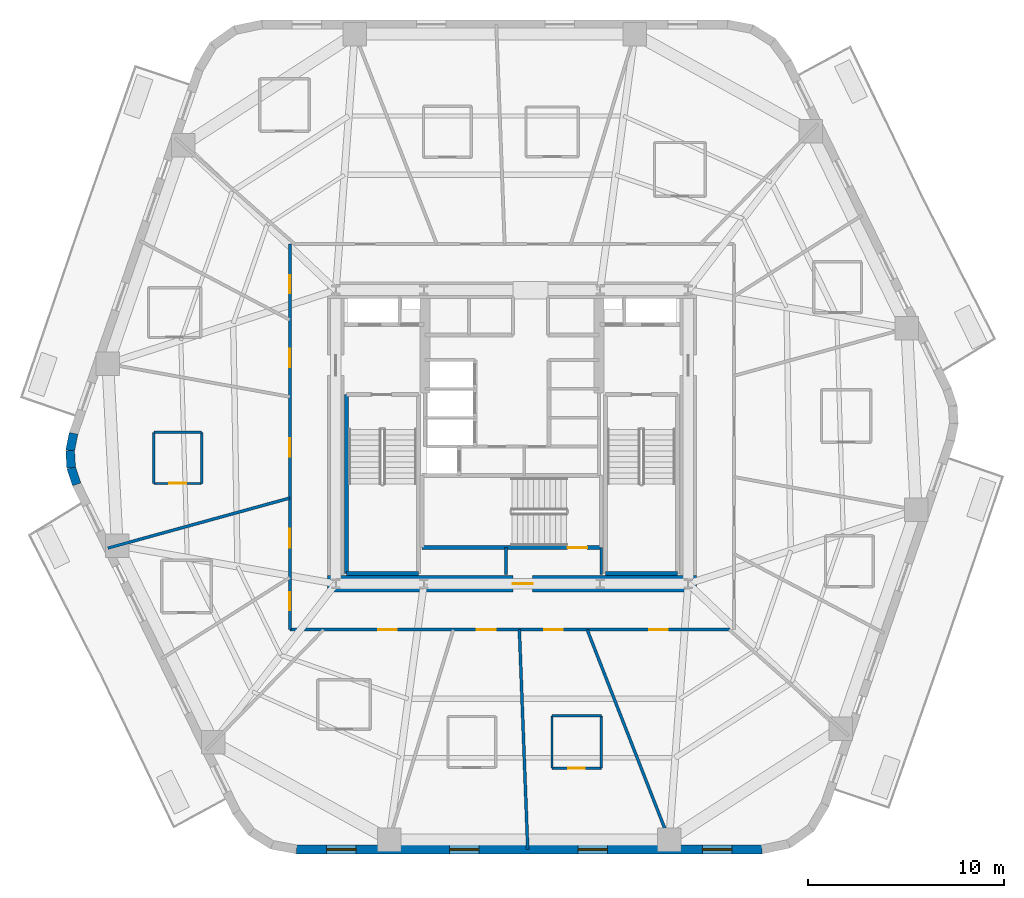
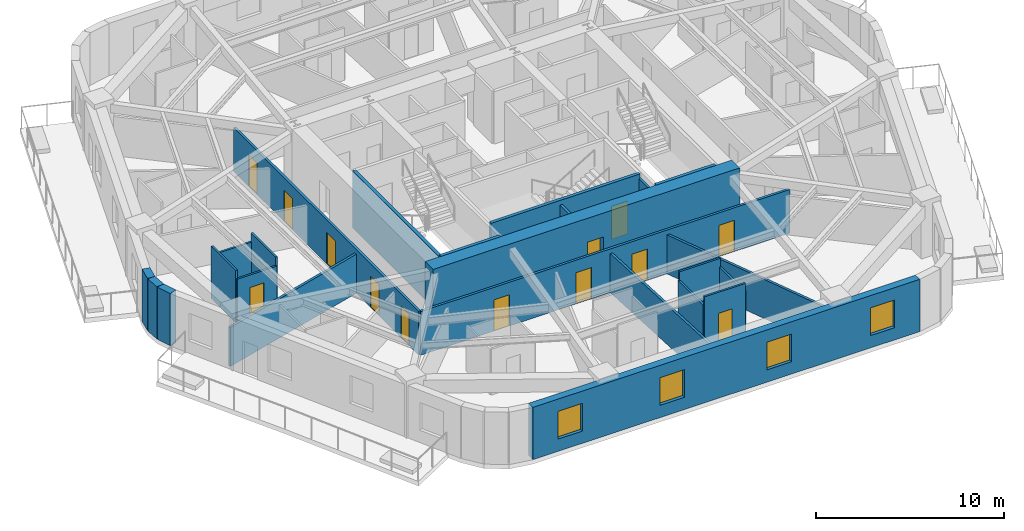
# One storey, part 3 of 10: 24 walls, 13 doors, 4 windows, 17 openings.
"""IFC4 building model written with IfcOpenShell, lengths in metres."""

from ifc_helpers import new_model, si_unit, direction, frame, frame_2d, origin, place, context, subcontext, project, spatial, rectangle, extrude, material, layer, layer_set, type_object, element, fill, save


model = new_model("IFC4")

# Units and contexts
model_context = context("Model", 3, precision=1e-05, world=origin(), true_north=direction((0.0, 1.0)))
body_context = subcontext(model_context, "Body", "Model", "MODEL_VIEW")
ifc_project = project(units=[si_unit("LENGTHUNIT", "METRE"), si_unit("AREAUNIT", "SQUARE_METRE"), si_unit("VOLUMEUNIT", "CUBIC_METRE"), si_unit("PLANEANGLEUNIT", "RADIAN"), si_unit("MASSUNIT", "GRAM", prefix="KILO")], contexts=[model_context])

# Site, building, storey
site_placement = place(None, origin())
site = spatial("IfcSite", under=ifc_project, at=site_placement, CompositionType="ELEMENT")
building_placement = place(site_placement, origin())
building = spatial("IfcBuilding", under=site, at=building_placement, Name="Kilnhurst Terrace Hotel", CompositionType="ELEMENT")
storey_placement = place(building_placement, frame((0.0, 0.0, 121.0)))
storey = spatial("IfcBuildingStorey", under=building, at=storey_placement, Name="L29", CompositionType="ELEMENT", Elevation=121.0)

# Walls
ifc_material_1 = material(Name="Precast concrete C40/50", Category="concrete")
ifc_layer_1 = layer(ifc_material_1, 0.449951171875, Name="Precast concrete C40/50")
ifc_layer_set_1 = layer_set([ifc_layer_1], Name="Precast concrete C40/50")
wall_type_1 = type_object("IfcWallType", Name="WL-BRK-450", PredefinedType="SOLIDWALL", material=ifc_layer_set_1)
wall_1_placement = place(storey_placement, frame((-22.39697265625, 0.17919921875, 0.0), z_axis=(0.0, 0.0, 1.0), x_axis=(-0.199313589404, -0.979935759669, 0.0)))
element("IfcWall", 1, at=wall_1_placement, inside=storey, type_object=wall_type_1, Name="L29 Rounded Corner Brick Wall C6.1", PredefinedType="SOLIDWALL", context=body_context, shape_type="SweptSolid", body=[
    extrude(rectangle(XDim=0.8955078125, YDim=0.449951171875, at=frame_2d((0.44775390625, 0.0))), origin(), (0.0, 0.0, 1.0), 3.39990234375),
])
wall_2_placement = place(storey_placement, frame((-22.575439453125, -0.6982421875, 0.0), z_axis=(0.0, 0.0, 1.0), x_axis=(0.060980441946, -0.998138961117, 0.0)))
element("IfcWall", 2, at=wall_2_placement, inside=storey, type_object=wall_type_1, Name="L29 Rounded Corner Brick Wall C6.2", PredefinedType="SOLIDWALL", context=body_context, shape_type="SweptSolid", body=[
    extrude(rectangle(XDim=0.880859375, YDim=0.449951171875, at=frame_2d((0.4404296875, 0.0))), origin(), (0.0, 0.0, 1.0), 3.39990234375),
])
wall_3_placement = place(storey_placement, frame((-22.521728515625, -1.577392578125, 0.0), z_axis=(0.0, 0.0, 1.0), x_axis=(0.317372694837, -0.948300887151, 0.0)))
element("IfcWall", 3, at=wall_3_placement, inside=storey, type_object=wall_type_1, Name="L29 Rounded Corner Brick Wall C6.3", PredefinedType="SOLIDWALL", context=body_context, shape_type="SweptSolid", body=[
    extrude(rectangle(XDim=0.8955078125, YDim=0.449951171875, at=frame_2d((0.44775390625, 0.0))), origin(), (0.0, 0.0, 1.0), 3.39990234375),
])

# Wall, openings, windows
wall_4_placement = place(storey_placement, frame((-11.011962890625, -21.074951171875, 0.0), z_axis=(0.0, 0.0, 1.0), x_axis=(1.0, 0.0, 0.0)))
wall_4 = element("IfcWall", 4, at=wall_4_placement, inside=storey, type_object=wall_type_1, Name="L29 Exterior Brick Facade Wall F1", PredefinedType="SOLIDWALL", context=body_context, shape_type="SweptSolid", body=[
    extrude(rectangle(XDim=23.782470703125, YDim=0.449951171875, at=frame_2d((11.89111328125, 0.0))), origin(), (0.0, 0.0, 1.0), 3.39990234375),
])
opening_1_placement = place(wall_4_placement, frame((1.5419921875, 0.0, 0.800048828125)))
opening_1 = element("IfcOpeningElement", 5, at=opening_1_placement, cuts=wall_4, Name="Opening W-02", PredefinedType="OPENING", context=body_context, shape_type="SweptSolid", body=[
    extrude(rectangle(XDim=1.5, YDim=1.800048828125, at=frame_2d((0.75, 0.89990234375))), frame((0.0, 0.23486328125, 0.0), z_axis=(0.0, -1.0, 0.0), x_axis=(1.0, 0.0, 0.0)), (0.0, 0.0, 1.0), 0.469970703125),
])
opening_2_placement = place(wall_4_placement, frame((7.820068359375, 0.0, 0.800048828125)))
opening_2 = element("IfcOpeningElement", 6, at=opening_2_placement, cuts=wall_4, Name="Opening W-02", PredefinedType="OPENING", context=body_context, shape_type="SweptSolid", body=[
    extrude(rectangle(XDim=1.5, YDim=1.800048828125, at=frame_2d((0.75, 0.89990234375))), frame((0.0, 0.23486328125, 0.0), z_axis=(0.0, -1.0, 0.0), x_axis=(1.0, 0.0, 0.0)), (0.0, 0.0, 1.0), 0.469970703125),
])
opening_3_placement = place(wall_4_placement, frame((14.387939453125, 0.0, 0.800048828125)))
opening_3 = element("IfcOpeningElement", 7, at=opening_3_placement, cuts=wall_4, Name="Opening W-02", PredefinedType="OPENING", context=body_context, shape_type="SweptSolid", body=[
    extrude(rectangle(XDim=1.5, YDim=1.800048828125, at=frame_2d((0.75, 0.89990234375))), frame((0.0, 0.23486328125, 0.0), z_axis=(0.0, -1.0, 0.0), x_axis=(1.0, 0.0, 0.0)), (0.0, 0.0, 1.0), 0.469970703125),
])
opening_4_placement = place(wall_4_placement, frame((20.740966796875, 0.0, 0.800048828125)))
opening_4 = element("IfcOpeningElement", 8, at=opening_4_placement, cuts=wall_4, Name="Opening W-02", PredefinedType="OPENING", context=body_context, shape_type="SweptSolid", body=[
    extrude(rectangle(XDim=1.5, YDim=1.800048828125, at=frame_2d((0.75, 0.89990234375))), frame((0.0, 0.23486328125, 0.0), z_axis=(0.0, -1.0, 0.0), x_axis=(1.0, 0.0, 0.0)), (0.0, 0.0, 1.0), 0.469970703125),
])
ifc_material_2 = material(Name="Thermally Broken Bronze Aluminium Alloy 6063-T6 and Low-E Glass", Category="aluminium")
window_type = type_object("IfcWindowType", Name="WIN-1500X1800", PartitioningType="SINGLE_PANEL", PredefinedType="WINDOW", material=ifc_material_2)
window_1_placement = place(opening_1_placement, origin())
window_1 = element("IfcWindow", 9, at=window_1_placement, inside=storey, type_object=window_type, Name="L29 Deep-Set Masonry Window F1.1", OverallHeight=1.800048828125, OverallWidth=1.5, PartitioningType="SINGLE_PANEL", PredefinedType="WINDOW", context=body_context, shape_type="SweptSolid", body=[
    extrude(rectangle(XDim=1.5, YDim=1.800048828125, at=frame_2d((0.75, 0.89990234375))), frame((0.0, 0.030029296875, 0.0), z_axis=(0.0, -1.0, 0.0), x_axis=(1.0, 0.0, 0.0)), (0.0, 0.0, 1.0), 0.06005859375),
])
fill(opening_1, window_1)
window_2_placement = place(opening_2_placement, origin())
window_2 = element("IfcWindow", 10, at=window_2_placement, inside=storey, type_object=window_type, Name="L29 Deep-Set Masonry Window F1.2", OverallHeight=1.800048828125, OverallWidth=1.5, PartitioningType="SINGLE_PANEL", PredefinedType="WINDOW", context=body_context, shape_type="SweptSolid", body=[
    extrude(rectangle(XDim=1.5, YDim=1.800048828125, at=frame_2d((0.75, 0.89990234375))), frame((0.0, 0.030029296875, 0.0), z_axis=(0.0, -1.0, 0.0), x_axis=(1.0, 0.0, 0.0)), (0.0, 0.0, 1.0), 0.06005859375),
])
fill(opening_2, window_2)
window_3_placement = place(opening_3_placement, origin())
window_3 = element("IfcWindow", 11, at=window_3_placement, inside=storey, type_object=window_type, Name="L29 Deep-Set Masonry Window F1.3", OverallHeight=1.800048828125, OverallWidth=1.5, PartitioningType="SINGLE_PANEL", PredefinedType="WINDOW", context=body_context, shape_type="SweptSolid", body=[
    extrude(rectangle(XDim=1.5, YDim=1.800048828125, at=frame_2d((0.75, 0.89990234375))), frame((0.0, 0.030029296875, 0.0), z_axis=(0.0, -1.0, 0.0), x_axis=(1.0, 0.0, 0.0)), (0.0, 0.0, 1.0), 0.06005859375),
])
fill(opening_3, window_3)
window_4_placement = place(opening_4_placement, origin())
window_4 = element("IfcWindow", 12, at=window_4_placement, inside=storey, type_object=window_type, Name="L29 Deep-Set Masonry Window F1.4", OverallHeight=1.800048828125, OverallWidth=1.5, PartitioningType="SINGLE_PANEL", PredefinedType="WINDOW", context=body_context, shape_type="SweptSolid", body=[
    extrude(rectangle(XDim=1.5, YDim=1.800048828125, at=frame_2d((0.75, 0.89990234375))), frame((0.0, 0.030029296875, 0.0), z_axis=(0.0, -1.0, 0.0), x_axis=(1.0, 0.0, 0.0)), (0.0, 0.0, 1.0), 0.06005859375),
])
fill(opening_4, window_4)

# Wall, openings, doors
ifc_material_3 = material(Name="Acoustic Double-Gypsum Corridor Partition Assembly")
ifc_layer_2 = layer(ifc_material_3, 0.14990234375, Name="Acoustic Double-Gypsum Corridor Partition Assembly")
ifc_layer_set_2 = layer_set([ifc_layer_2], Name="Acoustic Double-Gypsum Corridor Partition Assembly")
wall_type_2 = type_object("IfcWallType", Name="WL-COR-150", PredefinedType="PARTITIONING", material=ifc_layer_set_2)
wall_5_placement = place(storey_placement, frame((-11.35009765625, -9.85009765625, 0.0), z_axis=(0.0, 0.0, 1.0), x_axis=(0.0, 1.0, 0.0)))
wall_5 = element("IfcWall", 13, at=wall_5_placement, inside=storey, type_object=wall_type_2, Name="L29 Interior Wall WL-L29-COR-01", PredefinedType="PARTITIONING", context=body_context, shape_type="SweptSolid", body=[
    extrude(rectangle(XDim=19.7001953125, YDim=0.14990234375, at=frame_2d((9.85009765625, 0.0))), origin(), (0.0, 0.0, 1.0), 2.840087890625),
])
opening_5_placement = place(wall_5_placement, frame((17.197021484375, 0.0, 0.0)))
opening_5 = element("IfcOpeningElement", 14, at=opening_5_placement, cuts=wall_5, Name="Opening D-60C", PredefinedType="OPENING", context=body_context, shape_type="SweptSolid", body=[
    extrude(rectangle(XDim=0.89990234375, YDim=2.030029296875, at=frame_2d((0.449951171875, 1.01513671875))), frame((0.0, 0.0849609375, 0.0), z_axis=(0.0, -1.0, 0.0), x_axis=(1.0, 0.0, 0.0)), (0.0, 0.0, 1.0), 0.169921875),
])
opening_6_placement = place(wall_5_placement, frame((13.407958984375, 0.0, 0.0)))
opening_6 = element("IfcOpeningElement", 15, at=opening_6_placement, cuts=wall_5, Name="Opening D-60B", PredefinedType="OPENING", context=body_context, shape_type="SweptSolid", body=[
    extrude(rectangle(XDim=0.949951171875, YDim=2.030029296875, at=frame_2d((0.47509765625, 1.01513671875))), frame((0.0, 0.0849609375, 0.0), z_axis=(0.0, -1.0, 0.0), x_axis=(1.0, 0.0, 0.0)), (0.0, 0.0, 1.0), 0.169921875),
])
opening_7_placement = place(wall_5_placement, frame((8.8359375, 0.0, 0.0)))
opening_7 = element("IfcOpeningElement", 16, at=opening_7_placement, cuts=wall_5, Name="Opening D-60B", PredefinedType="OPENING", context=body_context, shape_type="SweptSolid", body=[
    extrude(rectangle(XDim=0.949951171875, YDim=2.030029296875, at=frame_2d((0.47509765625, 1.01513671875))), frame((0.0, 0.0849609375, 0.0), z_axis=(0.0, -1.0, 0.0), x_axis=(1.0, 0.0, 0.0)), (0.0, 0.0, 1.0), 0.169921875),
])
opening_8_placement = place(wall_5_placement, frame((4.198974609375, 0.0, 0.0)))
opening_8 = element("IfcOpeningElement", 17, at=opening_8_placement, cuts=wall_5, Name="Opening D-60B", PredefinedType="OPENING", context=body_context, shape_type="SweptSolid", body=[
    extrude(rectangle(XDim=0.949951171875, YDim=2.030029296875, at=frame_2d((0.47509765625, 1.01513671875))), frame((0.0, 0.0849609375, 0.0), z_axis=(0.0, -1.0, 0.0), x_axis=(1.0, 0.0, 0.0)), (0.0, 0.0, 1.0), 0.169921875),
])
opening_9_placement = place(wall_5_placement, frame((1.001953125, 0.0, 0.0)))
opening_9 = element("IfcOpeningElement", 18, at=opening_9_placement, cuts=wall_5, Name="Opening D-60C", PredefinedType="OPENING", context=body_context, shape_type="SweptSolid", body=[
    extrude(rectangle(XDim=0.89990234375, YDim=2.030029296875, at=frame_2d((0.449951171875, 1.01513671875))), frame((0.0, 0.0849609375, 0.0), z_axis=(0.0, -1.0, 0.0), x_axis=(1.0, 0.0, 0.0)), (0.0, 0.0, 1.0), 0.169921875),
])
ifc_material_4 = material(Name="Painted Solid-Core Service Fire Door")
door_type_1 = type_object("IfcDoorType", Name="DR-FD60-900", OperationType="NOTDEFINED", PredefinedType="DOOR", material=ifc_material_4)
door_1_placement = place(opening_5_placement, origin())
door_1 = element("IfcDoor", 19, at=door_1_placement, inside=storey, type_object=door_type_1, Name="L29 Executive Work Office Door 7", OperationType="SINGLE_SWING_LEFT", OverallHeight=2.030029296875, OverallWidth=0.89990234375, PredefinedType="DOOR", context=body_context, shape_type="SweptSolid", body=[
    extrude(rectangle(XDim=0.89990234375, YDim=2.030029296875, at=frame_2d((0.449951171875, 1.01513671875))), frame((0.0, 0.02490234375, 0.0), z_axis=(0.0, -1.0, 0.0), x_axis=(1.0, 0.0, 0.0)), (0.0, 0.0, 1.0), 0.050048828125),
])
fill(opening_5, door_1)
door_2_placement = place(opening_9_placement, origin())
door_2 = element("IfcDoor", 20, at=door_2_placement, inside=storey, type_object=door_type_1, Name="L29 Botanical Reading Lounge Door 11", OperationType="SINGLE_SWING_LEFT", OverallHeight=2.030029296875, OverallWidth=0.89990234375, PredefinedType="DOOR", context=body_context, shape_type="SweptSolid", body=[
    extrude(rectangle(XDim=0.89990234375, YDim=2.030029296875, at=frame_2d((0.449951171875, 1.01513671875))), frame((0.0, 0.02490234375, 0.0), z_axis=(0.0, -1.0, 0.0), x_axis=(1.0, 0.0, 0.0)), (0.0, 0.0, 1.0), 0.050048828125),
])
fill(opening_9, door_2)
ifc_material_5 = material(Name="Acoustic Walnut Veneer Solid-Core Fire Door")
door_type_2 = type_object("IfcDoorType", Name="DR-FD60-950", OperationType="NOTDEFINED", PredefinedType="DOOR", material=ifc_material_5)
door_3_placement = place(opening_6_placement, origin())
door_3 = element("IfcDoor", 21, at=door_3_placement, inside=storey, type_object=door_type_2, Name="L29 Guest Room Entry Door 8", OperationType="SINGLE_SWING_RIGHT", OverallHeight=2.030029296875, OverallWidth=0.949951171875, PredefinedType="DOOR", context=body_context, shape_type="SweptSolid", body=[
    extrude(rectangle(XDim=0.949951171875, YDim=2.030029296875, at=frame_2d((0.47509765625, 1.01513671875))), frame((0.0, 0.02490234375, 0.0), z_axis=(0.0, -1.0, 0.0), x_axis=(1.0, 0.0, 0.0)), (0.0, 0.0, 1.0), 0.050048828125),
])
fill(opening_6, door_3)
door_4_placement = place(opening_7_placement, origin())
door_4 = element("IfcDoor", 22, at=door_4_placement, inside=storey, type_object=door_type_2, Name="L29 Executive Suite Entry Door 9", OperationType="SINGLE_SWING_LEFT", OverallHeight=2.030029296875, OverallWidth=0.949951171875, PredefinedType="DOOR", context=body_context, shape_type="SweptSolid", body=[
    extrude(rectangle(XDim=0.949951171875, YDim=2.030029296875, at=frame_2d((0.47509765625, 1.01513671875))), frame((0.0, 0.02490234375, 0.0), z_axis=(0.0, -1.0, 0.0), x_axis=(1.0, 0.0, 0.0)), (0.0, 0.0, 1.0), 0.050048828125),
])
fill(opening_7, door_4)
door_5_placement = place(opening_8_placement, origin())
door_5 = element("IfcDoor", 23, at=door_5_placement, inside=storey, type_object=door_type_2, Name="L29 Guest Room Entry Door 10", OperationType="SINGLE_SWING_RIGHT", OverallHeight=2.030029296875, OverallWidth=0.949951171875, PredefinedType="DOOR", context=body_context, shape_type="SweptSolid", body=[
    extrude(rectangle(XDim=0.949951171875, YDim=2.030029296875, at=frame_2d((0.47509765625, 1.01513671875))), frame((0.0, 0.02490234375, 0.0), z_axis=(0.0, -1.0, 0.0), x_axis=(1.0, 0.0, 0.0)), (0.0, 0.0, 1.0), 0.050048828125),
])
fill(opening_8, door_5)

wall_6_placement = place(storey_placement, frame((11.35009765625, -9.85009765625, 0.0), z_axis=(0.0, 0.0, 1.0), x_axis=(-1.0, 0.0, 0.0)))
wall_6 = element("IfcWall", 24, at=wall_6_placement, inside=storey, type_object=wall_type_2, Name="L29 Interior Wall WL-L29-COR-04", PredefinedType="PARTITIONING", context=body_context, shape_type="SweptSolid", body=[
    extrude(rectangle(XDim=22.7001953125, YDim=0.14990234375, at=frame_2d((11.35009765625, 0.0))), origin(), (0.0, 0.0, 1.0), 2.840087890625),
])
opening_10_placement = place(wall_6_placement, frame((17.237060546875, 0.0, 0.0)))
opening_10 = element("IfcOpeningElement", 25, at=opening_10_placement, cuts=wall_6, Name="Opening D-60B", PredefinedType="OPENING", context=body_context, shape_type="SweptSolid", body=[
    extrude(rectangle(XDim=0.949951171875, YDim=2.030029296875, at=frame_2d((0.47509765625, 1.01513671875))), frame((0.0, 0.0849609375, 0.0), z_axis=(0.0, -1.0, 0.0), x_axis=(1.0, 0.0, 0.0)), (0.0, 0.0, 1.0), 0.169921875),
])
opening_11_placement = place(wall_6_placement, frame((12.19189453125, 0.0, 0.0)))
opening_11 = element("IfcOpeningElement", 26, at=opening_11_placement, cuts=wall_6, Name="Opening D-60B", PredefinedType="OPENING", context=body_context, shape_type="SweptSolid", body=[
    extrude(rectangle(XDim=0.949951171875, YDim=2.030029296875, at=frame_2d((0.47509765625, 1.01513671875))), frame((0.0, 0.0849609375, 0.0), z_axis=(0.0, -1.0, 0.0), x_axis=(1.0, 0.0, 0.0)), (0.0, 0.0, 1.0), 0.169921875),
])
opening_12_placement = place(wall_6_placement, frame((8.757080078125, 0.0, 0.0)))
opening_12 = element("IfcOpeningElement", 27, at=opening_12_placement, cuts=wall_6, Name="Opening D-60B", PredefinedType="OPENING", context=body_context, shape_type="SweptSolid", body=[
    extrude(rectangle(XDim=0.949951171875, YDim=2.030029296875, at=frame_2d((0.47509765625, 1.01513671875))), frame((0.0, 0.0849609375, 0.0), z_axis=(0.0, -1.0, 0.0), x_axis=(1.0, 0.0, 0.0)), (0.0, 0.0, 1.0), 0.169921875),
])
opening_13_placement = place(wall_6_placement, frame((3.39892578125, 0.0, 0.0)))
opening_13 = element("IfcOpeningElement", 28, at=opening_13_placement, cuts=wall_6, Name="Opening D-60B", PredefinedType="OPENING", context=body_context, shape_type="SweptSolid", body=[
    extrude(rectangle(XDim=0.949951171875, YDim=2.030029296875, at=frame_2d((0.47509765625, 1.01513671875))), frame((0.0, 0.0849609375, 0.0), z_axis=(0.0, -1.0, 0.0), x_axis=(1.0, 0.0, 0.0)), (0.0, 0.0, 1.0), 0.169921875),
])
door_6_placement = place(opening_10_placement, origin())
door_6 = element("IfcDoor", 29, at=door_6_placement, inside=storey, type_object=door_type_2, Name="L29 Executive Suite Entry Door 12", OperationType="SINGLE_SWING_RIGHT", OverallHeight=2.030029296875, OverallWidth=0.949951171875, PredefinedType="DOOR", context=body_context, shape_type="SweptSolid", body=[
    extrude(rectangle(XDim=0.949951171875, YDim=2.030029296875, at=frame_2d((0.47509765625, 1.01513671875))), frame((0.0, 0.02490234375, 0.0), z_axis=(0.0, -1.0, 0.0), x_axis=(1.0, 0.0, 0.0)), (0.0, 0.0, 1.0), 0.050048828125),
])
fill(opening_10, door_6)
door_7_placement = place(opening_11_placement, origin())
door_7 = element("IfcDoor", 30, at=door_7_placement, inside=storey, type_object=door_type_2, Name="L29 Guest Room Entry Door 13", OperationType="SINGLE_SWING_LEFT", OverallHeight=2.030029296875, OverallWidth=0.949951171875, PredefinedType="DOOR", context=body_context, shape_type="SweptSolid", body=[
    extrude(rectangle(XDim=0.949951171875, YDim=2.030029296875, at=frame_2d((0.47509765625, 1.01513671875))), frame((0.0, 0.02490234375, 0.0), z_axis=(0.0, -1.0, 0.0), x_axis=(1.0, 0.0, 0.0)), (0.0, 0.0, 1.0), 0.050048828125),
])
fill(opening_11, door_7)
door_8_placement = place(opening_12_placement, origin())
door_8 = element("IfcDoor", 31, at=door_8_placement, inside=storey, type_object=door_type_2, Name="L29 Guest Room Entry Door 14", OperationType="SINGLE_SWING_RIGHT", OverallHeight=2.030029296875, OverallWidth=0.949951171875, PredefinedType="DOOR", context=body_context, shape_type="SweptSolid", body=[
    extrude(rectangle(XDim=0.949951171875, YDim=2.030029296875, at=frame_2d((0.47509765625, 1.01513671875))), frame((0.0, 0.02490234375, 0.0), z_axis=(0.0, -1.0, 0.0), x_axis=(1.0, 0.0, 0.0)), (0.0, 0.0, 1.0), 0.050048828125),
])
fill(opening_12, door_8)
door_9_placement = place(opening_13_placement, origin())
door_9 = element("IfcDoor", 32, at=door_9_placement, inside=storey, type_object=door_type_2, Name="L29 Business Office Suite Door", OperationType="SINGLE_SWING_LEFT", OverallHeight=2.030029296875, OverallWidth=0.949951171875, PredefinedType="DOOR", context=body_context, shape_type="SweptSolid", body=[
    extrude(rectangle(XDim=0.949951171875, YDim=2.030029296875, at=frame_2d((0.47509765625, 1.01513671875))), frame((0.0, 0.02490234375, 0.0), z_axis=(0.0, -1.0, 0.0), x_axis=(1.0, 0.0, 0.0)), (0.0, 0.0, 1.0), 0.050048828125),
])
fill(opening_13, door_9)

# Wall, opening, door
ifc_material_6 = material(Name="Concrete C80/95", Category="concrete")
ifc_layer_3 = layer(ifc_material_6, 0.85009765625, Name="Concrete C80/95")
ifc_layer_set_3 = layer_set([ifc_layer_3], Name="Concrete C80/95")
wall_type_3 = type_object("IfcWallType", Name="WL-CORE-850", PredefinedType="SHEAR", material=ifc_layer_set_3)
wall_7_placement = place(storey_placement, frame((-9.425048828125, -7.5, 0.0), z_axis=(0.0, 0.0, 1.0), x_axis=(1.0, 0.0, 0.0)))
wall_7 = element("IfcWall", 33, at=wall_7_placement, inside=storey, type_object=wall_type_3, Name="L29 Core South Shear Wall", PredefinedType="SHEAR", context=body_context, shape_type="SweptSolid", body=[
    extrude(rectangle(XDim=18.85009765625, YDim=0.85009765625, at=frame_2d((9.425048828125, 0.0))), origin(), (0.0, 0.0, 1.0), 3.699951171875),
])
opening_14_placement = place(wall_7_placement, frame((9.47509765625, 0.0, 0.0)))
opening_14 = element("IfcOpeningElement", 34, at=opening_14_placement, cuts=wall_7, Name="Opening D-90B", PredefinedType="OPENING", context=body_context, shape_type="SweptSolid", body=[
    extrude(rectangle(XDim=1.0, YDim=2.14990234375, at=frame_2d((0.5, 1.074951171875))), frame((0.0, 0.43505859375, 0.0), z_axis=(0.0, -1.0, 0.0), x_axis=(1.0, 0.0, 0.0)), (0.0, 0.0, 1.0), 0.8701171875),
])
ifc_material_7 = material(Name="Painted Hollow Metal Steel ASTM A36 Fire Door", Category="steel")
door_type_3 = type_object("IfcDoorType", Name="DR-FD90-1000", OperationType="NOTDEFINED", PredefinedType="DOOR", material=ifc_material_7)
door_10_placement = place(opening_14_placement, origin())
door_10 = element("IfcDoor", 35, at=door_10_placement, inside=storey, type_object=door_type_3, Name="L29 Stair ST-3 Corridor Door", OperationType="SINGLE_SWING_RIGHT", OverallHeight=2.14990234375, OverallWidth=1.0, PredefinedType="DOOR", context=body_context, shape_type="SweptSolid", body=[
    extrude(rectangle(XDim=1.0, YDim=2.14990234375, at=frame_2d((0.5, 1.074951171875))), frame((0.0, 0.02490234375, 0.0), z_axis=(0.0, -1.0, 0.0), x_axis=(1.0, 0.0, 0.0)), (0.0, 0.0, 1.0), 0.050048828125),
])
fill(opening_14, door_10)

# Walls
ifc_material_8 = material(Name="STC-58 Acoustic Twin-Frame Guestroom Demising Partition")
ifc_layer_4 = layer(ifc_material_8, 0.14990234375, Name="STC-58 Acoustic Twin-Frame Guestroom Demising Partition")
ifc_layer_set_4 = layer_set([ifc_layer_4], Name="STC-58 Acoustic Twin-Frame Guestroom Demising Partition")
wall_type_4 = type_object("IfcWallType", Name="WL-DEM-150", PredefinedType="PARTITIONING", material=ifc_layer_set_4)
wall_8_placement = place(storey_placement, frame((-11.35009765625, -3.123291015625, 0.0), z_axis=(0.0, 0.0, 1.0), x_axis=(-0.964151983214, -0.265350623261, 0.0)))
element("IfcWall", 36, at=wall_8_placement, inside=storey, type_object=wall_type_4, Name="L29 Interior Wall WL-L29-DEM-COL07-10-1", PredefinedType="PARTITIONING", context=body_context, shape_type="SweptSolid", body=[
    extrude(rectangle(XDim=9.64501953125, YDim=0.14990234375, at=frame_2d((4.822509765625, 0.0))), origin(), (0.0, 0.0, 1.0), 2.5400390625),
])
wall_9_placement = place(storey_placement, frame((0.3759765625, -9.85009765625, 0.0), z_axis=(0.0, 0.0, 1.0), x_axis=(0.03812177869, -0.999273100804, 0.0)))
element("IfcWall", 37, at=wall_9_placement, inside=storey, type_object=wall_type_4, Name="L29 Interior Wall WL-L29-DEM-MID09-14-1", PredefinedType="PARTITIONING", context=body_context, shape_type="SweptSolid", body=[
    extrude(rectangle(XDim=11.23291015625, YDim=0.14990234375, at=frame_2d((5.616455078125, 0.0))), origin(), (0.0, 0.0, 1.0), 2.5400390625),
])
wall_10_placement = place(storey_placement, frame((3.84228515625, -9.85009765625, 0.0), z_axis=(0.0, 0.0, 1.0), x_axis=(0.363432685593, -0.931620460833, 0.0)))
element("IfcWall", 38, at=wall_10_placement, inside=storey, type_object=wall_type_4, Name="L29 Interior Wall WL-L29-DEM-COL10-15-1", PredefinedType="PARTITIONING", context=body_context, shape_type="SweptSolid", body=[
    extrude(rectangle(XDim=12.048828125, YDim=0.14990234375, at=frame_2d((6.0244140625, 0.0))), origin(), (0.0, 0.0, 1.0), 2.5400390625),
])

# Wall, opening, door
ifc_material_9 = material(Name="120 mm Moisture-Resistant Tile-Backed Bathroom Partition")
ifc_layer_5 = layer(ifc_material_9, 0.1201171875, Name="120 mm Moisture-Resistant Tile-Backed Bathroom Partition")
ifc_layer_set_5 = layer_set([ifc_layer_5], Name="120 mm Moisture-Resistant Tile-Backed Bathroom Partition")
wall_type_5 = type_object("IfcWallType", Name="WL-PART-120", PredefinedType="PARTITIONING", material=ifc_layer_set_5)
wall_11_placement = place(storey_placement, frame((-18.294921875, -2.37890625, 0.0), z_axis=(0.0, 0.0, 1.0), x_axis=(1.0, 0.0, 0.0)))
wall_11 = element("IfcWall", 39, at=wall_11_placement, inside=storey, type_object=wall_type_5, Name="L29 Interior Wall WL-L29-BTH-09-1", PredefinedType="PARTITIONING", context=body_context, shape_type="SweptSolid", body=[
    extrude(rectangle(XDim=2.43994140625, YDim=0.1201171875, at=frame_2d((1.219970703125, 0.0))), origin(), (0.0, 0.0, 1.0), 2.84033203125),
])
opening_15_placement = place(wall_11_placement, frame((0.794921875, 0.0, 0.0)))
opening_15 = element("IfcOpeningElement", 40, at=opening_15_placement, cuts=wall_11, Name="Opening D-08A", PredefinedType="OPENING", context=body_context, shape_type="SweptSolid", body=[
    extrude(rectangle(XDim=0.85009765625, YDim=2.030029296875, at=frame_2d((0.425048828125, 1.01513671875))), frame((0.0, 0.070068359375, 0.0), z_axis=(0.0, -1.0, 0.0), x_axis=(1.0, 0.0, 0.0)), (0.0, 0.0, 1.0), 0.14013671875),
])
ifc_material_10 = material(Name="Moisture-Resistant Lacquered En-suite Bathroom Door")
door_type_4 = type_object("IfcDoorType", Name="DR-INT-850", OperationType="NOTDEFINED", PredefinedType="DOOR", material=ifc_material_10)
door_11_placement = place(opening_15_placement, origin())
door_11 = element("IfcDoor", 41, at=door_11_placement, inside=storey, type_object=door_type_4, Name="L29 En-suite Bathroom Door 9", OperationType="SINGLE_SWING_RIGHT", OverallHeight=2.030029296875, OverallWidth=0.85009765625, PredefinedType="DOOR", context=body_context, shape_type="SweptSolid", body=[
    extrude(rectangle(XDim=0.85009765625, YDim=2.030029296875, at=frame_2d((0.425048828125, 1.01513671875))), frame((0.0, 0.02490234375, 0.0), z_axis=(0.0, -1.0, 0.0), x_axis=(1.0, 0.0, 0.0)), (0.0, 0.0, 1.0), 0.050048828125),
])
fill(opening_15, door_11)

# Walls
wall_12_placement = place(storey_placement, frame((-15.85498046875, -2.37890625, 0.0), z_axis=(0.0, 0.0, 1.0), x_axis=(0.0, 1.0, 0.0)))
element("IfcWall", 42, at=wall_12_placement, inside=storey, type_object=wall_type_5, Name="L29 Interior Wall WL-L29-BTH-09-2", PredefinedType="PARTITIONING", context=body_context, shape_type="SweptSolid", body=[
    extrude(rectangle(XDim=2.60986328125, YDim=0.1201171875, at=frame_2d((1.304931640625, 0.0))), origin(), (0.0, 0.0, 1.0), 3.39990234375),
])
wall_13_placement = place(storey_placement, frame((-15.85498046875, 0.23095703125, 0.0), z_axis=(0.0, 0.0, 1.0), x_axis=(-1.0, 0.0, 0.0)))
element("IfcWall", 43, at=wall_13_placement, inside=storey, type_object=wall_type_5, Name="L29 Interior Wall WL-L29-BTH-09-3", PredefinedType="PARTITIONING", context=body_context, shape_type="SweptSolid", body=[
    extrude(rectangle(XDim=2.43994140625, YDim=0.1201171875, at=frame_2d((1.219970703125, 0.0))), origin(), (0.0, 0.0, 1.0), 2.84033203125),
])
wall_14_placement = place(storey_placement, frame((-18.294921875, 0.23095703125, 0.0), z_axis=(0.0, 0.0, 1.0), x_axis=(0.0, -1.0, 0.0)))
element("IfcWall", 44, at=wall_14_placement, inside=storey, type_object=wall_type_5, Name="L29 Interior Wall WL-L29-BTH-09-4", PredefinedType="PARTITIONING", context=body_context, shape_type="SweptSolid", body=[
    extrude(rectangle(XDim=2.60986328125, YDim=0.1201171875, at=frame_2d((1.304931640625, 0.0))), origin(), (0.0, 0.0, 1.0), 3.39990234375),
])

# Wall, opening, door
wall_15_placement = place(storey_placement, frame((2.0400390625, -16.927001953125, 0.0), z_axis=(0.0, 0.0, 1.0), x_axis=(1.0, 0.0, 0.0)))
wall_15 = element("IfcWall", 45, at=wall_15_placement, inside=storey, type_object=wall_type_5, Name="L29 Interior Wall WL-L29-BTH-14-1", PredefinedType="PARTITIONING", context=body_context, shape_type="SweptSolid", body=[
    extrude(rectangle(XDim=2.52001953125, YDim=0.1201171875, at=frame_2d((1.260009765625, 0.0))), origin(), (0.0, 0.0, 1.0), 3.39990234375),
])
opening_16_placement = place(wall_15_placement, frame((0.8349609375, 0.0, 0.0)))
opening_16 = element("IfcOpeningElement", 46, at=opening_16_placement, cuts=wall_15, Name="Opening D-08A", PredefinedType="OPENING", context=body_context, shape_type="SweptSolid", body=[
    extrude(rectangle(XDim=0.85009765625, YDim=2.030029296875, at=frame_2d((0.425048828125, 1.01513671875))), frame((0.0, 0.070068359375, 0.0), z_axis=(0.0, -1.0, 0.0), x_axis=(1.0, 0.0, 0.0)), (0.0, 0.0, 1.0), 0.14013671875),
])
door_12_placement = place(opening_16_placement, origin())
door_12 = element("IfcDoor", 47, at=door_12_placement, inside=storey, type_object=door_type_4, Name="L29 En-suite Bathroom Door 14", OperationType="SINGLE_SWING_LEFT", OverallHeight=2.030029296875, OverallWidth=0.85009765625, PredefinedType="DOOR", context=body_context, shape_type="SweptSolid", body=[
    extrude(rectangle(XDim=0.85009765625, YDim=2.030029296875, at=frame_2d((0.425048828125, 1.01513671875))), frame((0.0, 0.02490234375, 0.0), z_axis=(0.0, -1.0, 0.0), x_axis=(1.0, 0.0, 0.0)), (0.0, 0.0, 1.0), 0.050048828125),
])
fill(opening_16, door_12)

# Walls
wall_16_placement = place(storey_placement, frame((4.56005859375, -16.927001953125, 0.0), z_axis=(0.0, 0.0, 1.0), x_axis=(0.0, 1.0, 0.0)))
element("IfcWall", 48, at=wall_16_placement, inside=storey, type_object=wall_type_5, Name="L29 Interior Wall WL-L29-BTH-14-2", PredefinedType="PARTITIONING", context=body_context, shape_type="SweptSolid", body=[
    extrude(rectangle(XDim=2.679931640625, YDim=0.1201171875, at=frame_2d((1.33984375, 0.0))), origin(), (0.0, 0.0, 1.0), 2.84033203125),
])
wall_17_placement = place(storey_placement, frame((4.56005859375, -14.2470703125, 0.0), z_axis=(0.0, 0.0, 1.0), x_axis=(-1.0, 0.0, 0.0)))
element("IfcWall", 49, at=wall_17_placement, inside=storey, type_object=wall_type_5, Name="L29 Interior Wall WL-L29-BTH-14-3", PredefinedType="PARTITIONING", context=body_context, shape_type="SweptSolid", body=[
    extrude(rectangle(XDim=2.52001953125, YDim=0.1201171875, at=frame_2d((1.260009765625, 0.0))), origin(), (0.0, 0.0, 1.0), 3.39990234375),
])
wall_18_placement = place(storey_placement, frame((2.0400390625, -14.2470703125, 0.0), z_axis=(0.0, 0.0, 1.0), x_axis=(0.0, -1.0, 0.0)))
element("IfcWall", 50, at=wall_18_placement, inside=storey, type_object=wall_type_5, Name="L29 Interior Wall WL-L29-BTH-14-4", PredefinedType="PARTITIONING", context=body_context, shape_type="SweptSolid", body=[
    extrude(rectangle(XDim=2.679931640625, YDim=0.1201171875, at=frame_2d((1.33984375, 0.0))), origin(), (0.0, 0.0, 1.0), 2.84033203125),
])
ifc_material_11 = material(Name="Fire-Rated Gypsum Shaftliner Assembly")
ifc_layer_6 = layer(ifc_material_11, 0.14990234375, Name="Fire-Rated Gypsum Shaftliner Assembly")
ifc_layer_set_6 = layer_set([ifc_layer_6], Name="Fire-Rated Gypsum Shaftliner Assembly")
wall_type_6 = type_object("IfcWallType", Name="WL-SHAFT-150", PredefinedType="PARTITIONING", material=ifc_layer_set_6)
for number, where, z_axis, x_axis, name in (
    (51, (-0.300048828125, -7.02001953125, 0.0), (0.0, 0.0, 1.0), (0.0, 1.0, 0.0), "L29 Interior Wall WL-L29-ST3-PSGW"),
    (52, (4.55810546875, -7.02001953125, 0.0), (0.0, 0.0, 1.0), (0.0, 1.0, 0.0), "L29 Interior Wall WL-L29-ST3-PSGE"),
):
    element("IfcWall", number, at=place(storey_placement, frame(where, z_axis=z_axis, x_axis=x_axis)), inside=storey, type_object=wall_type_6, Name=name, PredefinedType="PARTITIONING", context=body_context, shape_type="SweptSolid", body=[
        extrude(rectangle(XDim=1.362060546875, YDim=0.14990234375, at=frame_2d((0.68115234375, 0.0))), origin(), (0.0, 0.0, 1.0), 3.39990234375),
    ])
ifc_material_12 = material(Name="Concrete C50/60", Category="concrete")
ifc_layer_7 = layer(ifc_material_12, 0.199951171875, Name="Concrete C50/60")
ifc_layer_set_7 = layer_set([ifc_layer_7], Name="Concrete C50/60")
wall_type_7 = type_object("IfcWallType", Name="WL-STAIR-RC-200", PredefinedType="SHEAR", material=ifc_layer_set_7)
wall_19_placement = place(storey_placement, frame((-8.4580078125, -6.985107421875, 0.0), z_axis=(0.0, 0.0, 1.0), x_axis=(0.0, 1.0, 0.0)))
element("IfcWall", 53, at=wall_19_placement, inside=storey, type_object=wall_type_7, Name="L29 Structural Stair Shaft Wall WL-L29-ST1-W", PredefinedType="SHEAR", context=body_context, shape_type="SweptSolid", body=[
    extrude(rectangle(XDim=9.14306640625, YDim=0.199951171875, at=frame_2d((4.571533203125, 0.0))), origin(), (0.0, 0.0, 1.0), 3.699951171875),
])
for number, where, z_axis, x_axis, name in (
    (54, (-8.4580078125, -6.985107421875, 0.0), (0.0, 0.0, 1.0), (1.0, 0.0, 0.0), "L29 Structural Stair Shaft Wall WL-L29-ST1-S"),
    (55, (4.77197265625, -6.985107421875, 0.0), (0.0, 0.0, 1.0), (1.0, 0.0, 0.0), "L29 Structural Stair Shaft Wall WL-L29-ST2-S"),
):
    element("IfcWall", number, at=place(storey_placement, frame(where, z_axis=z_axis, x_axis=x_axis)), inside=storey, type_object=wall_type_7, Name=name, PredefinedType="SHEAR", context=body_context, shape_type="SweptSolid", body=[
        extrude(rectangle(XDim=3.68603515625, YDim=0.199951171875, at=frame_2d((1.843017578125, 0.0))), origin(), (0.0, 0.0, 1.0), 3.699951171875),
    ])

# Wall, opening, door
wall_20_placement = place(storey_placement, frame((-4.60791015625, -5.657958984375, 0.0), z_axis=(0.0, 0.0, 1.0), x_axis=(1.0, 0.0, 0.0)))
wall_20 = element("IfcWall", 56, at=wall_20_placement, inside=storey, type_object=wall_type_7, Name="L29 Structural Stair Shaft Wall WL-L29-ST3-S", PredefinedType="SHEAR", context=body_context, shape_type="SweptSolid", body=[
    extrude(rectangle(XDim=9.166015625, YDim=0.199951171875, at=frame_2d((4.5830078125, 0.0))), origin(), (0.0, 0.0, 1.0), 3.699951171875),
])
opening_17_placement = place(wall_20_placement, frame((7.449951171875, 0.0, 0.0)))
opening_17 = element("IfcOpeningElement", 57, at=opening_17_placement, cuts=wall_20, Name="Opening D-90B", PredefinedType="OPENING", context=body_context, shape_type="SweptSolid", body=[
    extrude(rectangle(XDim=1.0, YDim=2.14990234375, at=frame_2d((0.5, 1.074951171875))), frame((0.0, 0.10986328125, 0.0), z_axis=(0.0, -1.0, 0.0), x_axis=(1.0, 0.0, 0.0)), (0.0, 0.0, 1.0), 0.219970703125),
])
door_13_placement = place(opening_17_placement, origin())
door_13 = element("IfcDoor", 58, at=door_13_placement, inside=storey, type_object=door_type_3, Name="L29 Stair ST-3 Shaft Door", OperationType="SINGLE_SWING_LEFT", OverallHeight=2.14990234375, OverallWidth=1.0, PredefinedType="DOOR", context=body_context, shape_type="SweptSolid", body=[
    extrude(rectangle(XDim=1.0, YDim=2.14990234375, at=frame_2d((0.5, 1.074951171875))), frame((0.0, 0.02490234375, 0.0), z_axis=(0.0, -1.0, 0.0), x_axis=(1.0, 0.0, 0.0)), (0.0, 0.0, 1.0), 0.050048828125),
])
fill(opening_17, door_13)

save(model, "model.ifc")
